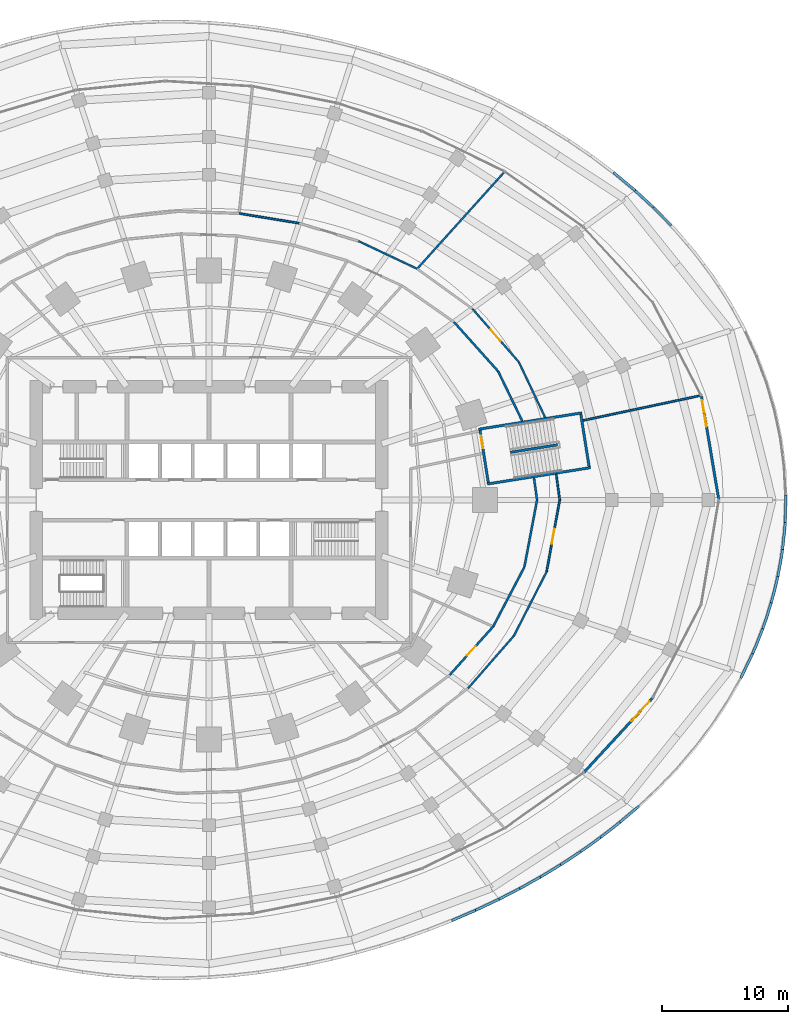
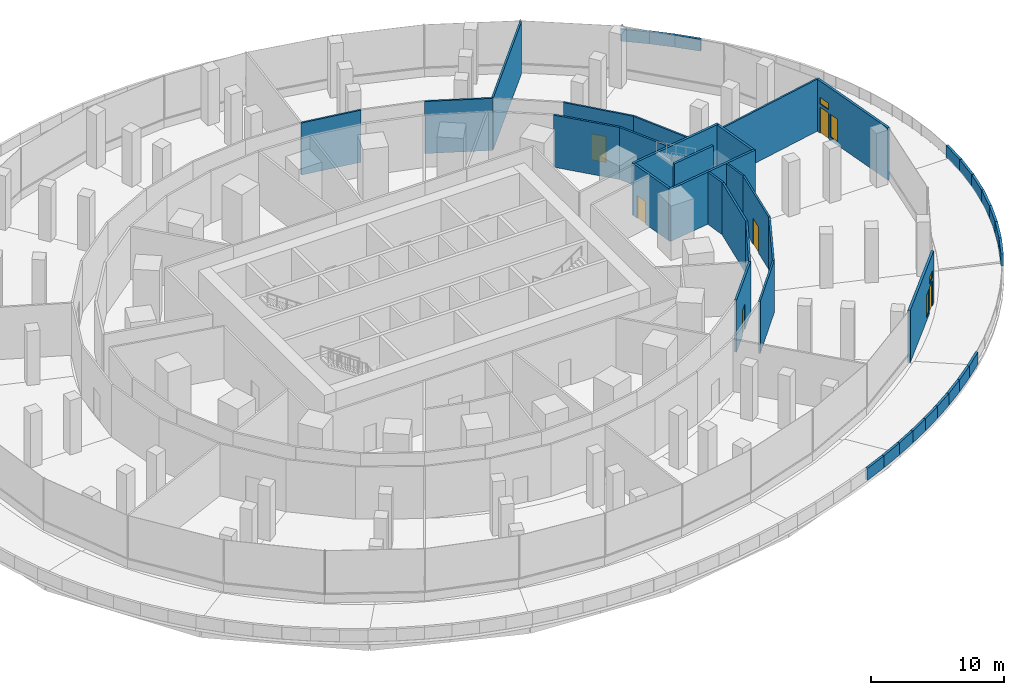
# One storey, part 26 of 31: 42 walls, 6 doors, 4 windows, 10 openings.
"""IFC4 building model written with IfcOpenShell, lengths in metres."""

import ifcopenshell
import ifcopenshell.guid

model = None  # the IFC model being written
_history = None  # IfcOwnerHistory: only IFC2X3 demands one
_inside = {}  # id of a spatial element -> (the spatial element, [elements in it])
_under = {}  # id of a project, library or spatial element -> (it, [spatial elements below it])
_declared = {}  # id of a project -> (the project, [libraries it declares])
_typed = {}  # id of a type object -> (the type object, [elements of that type])
_made_of = {}  # id of a material, layer set ... -> (it, [elements and type objects made of it])


def new_model(schema):
    """Start an empty IFC model of exactly this schema.

    Asked for "IFC4X3", IfcOpenShell would pick the latest addendum, in which some entities
    have other attributes; the version numbers below select the first issue.
    IFC2X3 requires an IfcOwnerHistory on every rooted entity: one is made here for all.
    """
    global model, _history
    if schema == "IFC4X3":
        model = ifcopenshell.file(schema_version=(4, 3, 0, 0))
    else:
        model = ifcopenshell.file(schema=schema)
    _inside.clear()
    _under.clear()
    _declared.clear()
    _typed.clear()
    _made_of.clear()
    _history = None
    if model.schema == "IFC2X3":
        org = make("IfcOrganization", Name="unknown")
        user = make(
            "IfcPersonAndOrganization",
            ThePerson=make("IfcPerson", FamilyName="unknown"),
            TheOrganization=org,
        )
        app = make(
            "IfcApplication",
            ApplicationDeveloper=org,
            Version="unknown",
            ApplicationFullName="unknown",
            ApplicationIdentifier="unknown",
        )
        _history = make(
            "IfcOwnerHistory",
            OwningUser=user,
            OwningApplication=app,
            ChangeAction="ADDED",
            CreationDate=0,
        )
    return model


def make(cls, **values):
    """One entity of the class cls with the attributes given. An attribute that is None is left unset."""
    return model.create_entity(
        cls, **{name: value for name, value in values.items() if value is not None}
    )


def rooted(cls, **values):
    """An entity with a GlobalId (a new one), such as an element, a storey or a relation."""
    return make(cls, GlobalId=ifcopenshell.guid.new(), OwnerHistory=_history, **values)


def si_unit(unit_type, name, prefix=None):
    """IfcSIUnit, for example si_unit("LENGTHUNIT", "METRE", prefix="MILLI")."""
    return make("IfcSIUnit", UnitType=unit_type, Prefix=prefix, Name=name)


def assignment(units):
    """IfcUnitAssignment: the units of a project."""
    return None if units is None else make("IfcUnitAssignment", Units=units)


def point(xyz):
    """IfcCartesianPoint."""
    return None if xyz is None else make("IfcCartesianPoint", Coordinates=xyz)


def direction(xyz):
    """IfcDirection."""
    return None if xyz is None else make("IfcDirection", DirectionRatios=xyz)


def frame(location, z_axis=None, x_axis=None):
    """IfcAxis2Placement3D, a coordinate frame: its origin and axes. An axis left out is left unset."""
    return make(
        "IfcAxis2Placement3D",
        Location=point(location),
        Axis=direction(z_axis),
        RefDirection=direction(x_axis),
    )


def frame_2d(location, x_axis=None):
    """IfcAxis2Placement2D, a coordinate frame in the plane: its origin and x axis."""
    return make(
        "IfcAxis2Placement2D", Location=point(location), RefDirection=direction(x_axis)
    )


def origin():
    """The frame at (0, 0, 0) with its axes left unset."""
    return frame((0.0, 0.0, 0.0))


def place(relative_to, where):
    """IfcLocalPlacement: puts the frame where relative to a parent placement (None: the world)."""
    return make(
        "IfcLocalPlacement", PlacementRelTo=relative_to, RelativePlacement=where
    )


def context(
    kind, dimensions, precision=None, world=None, true_north=None, identifier=None
):
    """IfcGeometricRepresentationContext, for example the 3D "Model" context."""
    return make(
        "IfcGeometricRepresentationContext",
        ContextIdentifier=identifier,
        ContextType=kind,
        CoordinateSpaceDimension=dimensions,
        Precision=precision,
        WorldCoordinateSystem=world,
        TrueNorth=true_north,
    )


def subcontext(parent, identifier, kind, view, scale=None):
    """IfcGeometricRepresentationSubContext, for example "Body" below "Model"."""
    return make(
        "IfcGeometricRepresentationSubContext",
        ContextIdentifier=identifier,
        ContextType=kind,
        ParentContext=parent,
        TargetScale=scale,
        TargetView=view,
    )


def project(units=None, contexts=None):
    """IfcProject with its units and contexts."""
    return rooted(
        "IfcProject",
        Name="project",
        RepresentationContexts=contexts,
        UnitsInContext=assignment(units),
    )


def spatial(cls, under=None, at=None, **own):
    """A site, building, storey or space (cls), placed at a placement, below another one or the project."""
    s = rooted(cls, ObjectPlacement=at, **own)
    if under is not None:
        _under.setdefault(under.id(), (under, []))[1].append(s)
    return s


def profile(cls, at=None, kind="AREA", **sizes):
    """A parametric profile (cls). Its sizes go by their IFC names, for example OverallWidth=200.0."""
    return make(cls, ProfileType=kind, Position=at, **sizes)


def rectangle(**sizes):
    """IfcRectangleProfileDef."""
    return profile("IfcRectangleProfileDef", **sizes)


def extrude(swept, where, along, depth):
    """IfcExtrudedAreaSolid: the profile swept, set in the frame where, extruded along a direction by depth."""
    return make(
        "IfcExtrudedAreaSolid",
        SweptArea=swept,
        Position=where,
        ExtrudedDirection=direction(along),
        Depth=depth,
    )


def shape(context_of_items, identifier, shape_type, items):
    """IfcShapeRepresentation: the items that make up one representation, for example the "Body"."""
    return make(
        "IfcShapeRepresentation",
        ContextOfItems=context_of_items,
        RepresentationIdentifier=identifier,
        RepresentationType=shape_type,
        Items=items,
    )


def material(Name=None, Category=None):
    """IfcMaterial."""
    return make("IfcMaterial", Name=Name, Category=Category)


def layer(
    of_material, thickness, ventilated=None, Name=None, Category=None, Priority=None
):
    """IfcMaterialLayer: one layer of a wall or slab, of a material (None: an air gap)."""
    return make(
        "IfcMaterialLayer",
        Material=of_material,
        LayerThickness=thickness,
        IsVentilated=ventilated,
        Name=Name,
        Category=Category,
        Priority=Priority,
    )


def layer_set(layers, Name=None):
    """IfcMaterialLayerSet."""
    return make("IfcMaterialLayerSet", MaterialLayers=layers, LayerSetName=Name)


def made_of(thing, what):
    """Note that an element or type object is made of a material, layer set ...; save() writes the relation."""
    if what is not None:
        _made_of.setdefault(what.id(), (what, []))[1].append(thing)
    return thing


def type_object(cls, material=None, **own):
    """A type object (cls), such as IfcWallType, which elements share."""
    return made_of(rooted(cls, **own), material)


def element(
    cls,
    number,
    at=None,
    inside=None,
    cuts=None,
    type_object=None,
    material=None,
    context=None,
    identifier="Body",
    shape_type=None,
    held_by="IfcProductDefinitionShape",
    body=None,
    shapes=None,
    **own,
):
    """One element of the class cls, such as IfcWall. Its Tag is "e" and its number.

    at: its placement. inside: the storey or other place that contains it. cuts: it is an
    opening in that element (IfcRelVoidsElement). A single representation is given by context,
    identifier, shape_type and body (its items); several are given by shapes. held_by: the class
    of the entity that holds the representations. save() writes the other relations.
    """
    e = rooted(cls, Tag="e%d" % number, ObjectPlacement=at, **own)
    if body is not None:
        shapes = [shape(context, identifier, shape_type, body)]
    if shapes is not None:
        e.Representation = make(held_by, Representations=shapes)
    if inside is not None:
        _inside.setdefault(inside.id(), (inside, []))[1].append(e)
    if cuts is not None:
        rooted(
            "IfcRelVoidsElement", RelatingBuildingElement=cuts, RelatedOpeningElement=e
        )
    if type_object is not None:
        _typed.setdefault(type_object.id(), (type_object, []))[1].append(e)
    return made_of(e, material)


def fill(opening, filler):
    """IfcRelFillsElement: the door or window that sits in an opening."""
    return rooted(
        "IfcRelFillsElement",
        RelatingOpeningElement=opening,
        RelatedBuildingElement=filler,
    )


def aggregate(whole, parts):
    """IfcRelAggregates: a whole, such as a stair, and the parts it consists of."""
    return rooted("IfcRelAggregates", RelatingObject=whole, RelatedObjects=parts)


def save(model, path):
    """Write the relations noted so far, then the file.

    IfcRelAggregates (storeys below a building ...), IfcRelContainedInSpatialStructure (elements
    in a storey), IfcRelDefinesByType, IfcRelAssociatesMaterial and IfcRelDeclares: one each for
    every whole, place, type object, material and project.
    """
    for whole, parts in _under.values():
        aggregate(whole, parts)
    for where, things in _inside.values():
        rooted(
            "IfcRelContainedInSpatialStructure",
            RelatedElements=things,
            RelatingStructure=where,
        )
    for kind, things in _typed.values():
        rooted("IfcRelDefinesByType", RelatedObjects=things, RelatingType=kind)
    for what, things in _made_of.values():
        rooted("IfcRelAssociatesMaterial", RelatedObjects=things, RelatingMaterial=what)
    for by, libraries in _declared.values():
        rooted("IfcRelDeclares", RelatingContext=by, RelatedDefinitions=libraries)
    model.write(path)


model = new_model("IFC4")

# Units and contexts
model_context = context("Model", 3, precision=1e-05, world=origin(), true_north=direction((0.0, 1.0)))
body_context = subcontext(model_context, "Body", "Model", "MODEL_VIEW")
ifc_project = project(units=[si_unit("LENGTHUNIT", "METRE"), si_unit("AREAUNIT", "SQUARE_METRE"), si_unit("VOLUMEUNIT", "CUBIC_METRE"), si_unit("PLANEANGLEUNIT", "RADIAN"), si_unit("MASSUNIT", "GRAM", prefix="KILO")], contexts=[model_context])

# Site, building, storey
site_placement = place(None, origin())
site = spatial("IfcSite", under=ifc_project, at=site_placement, CompositionType="ELEMENT")
building_placement = place(site_placement, origin())
building = spatial("IfcBuilding", under=site, at=building_placement, Name="Marramba Exchange Tower", CompositionType="ELEMENT")
storey_placement = place(building_placement, frame((0.0, 0.0, 5.60009765625)))
storey = spatial("IfcBuildingStorey", under=building, at=storey_placement, Name="L01", CompositionType="ELEMENT", Elevation=5.60009765625)

# Wall, opening, door
ifc_material_1 = material(Name="Plasterboard on staggered double steel studs, acoustic insulation", Category="steel")
ifc_layer_1 = layer(ifc_material_1, 0.169921875)
ifc_layer_set_1 = layer_set([ifc_layer_1], Name="Acoustic partition 170")
wall_type_1 = type_object("IfcWallType", Name="Acoustic partition 170", PredefinedType="PARTITIONING", material=ifc_layer_set_1)
wall_1_placement = place(storey_placement, frame((22.547607421875, -10.038818359375, 0.0), z_axis=(0.0, 0.0, 1.0), x_axis=(-0.668135531852, -0.744039589724, 0.0)))
wall_1 = element("IfcWall", 1, at=wall_1_placement, inside=storey, type_object=wall_type_1, Name="Acoustic partition L01 44", PredefinedType="PARTITIONING", context=body_context, shape_type="SweptSolid", body=[
    extrude(rectangle(XDim=5.1591796875, YDim=0.169921875, at=frame_2d((2.57958984375, 0.0))), origin(), (0.0, 0.0, 1.0), 4.7998046875),
])
opening_1_placement = place(wall_1_placement, frame((2.10498046875, 0.0, 0.0)))
opening_1 = element("IfcOpeningElement", 2, at=opening_1_placement, cuts=wall_1, Name="Opening D9", PredefinedType="OPENING", context=body_context, shape_type="SweptSolid", body=[
    extrude(rectangle(XDim=1.0, YDim=2.39990234375, at=frame_2d((0.5, 1.199951171875))), frame((0.0, 0.094970703125, 0.0), z_axis=(0.0, -1.0, 0.0), x_axis=(1.0, 0.0, 0.0)), (0.0, 0.0, 1.0), 0.18994140625),
])
ifc_material_2 = material(Name="Timber door", Category="wood")
door_type_1 = type_object("IfcDoorType", Name="Room door 1000x2400", OperationType="SINGLE_SWING_LEFT", PredefinedType="DOOR", material=ifc_material_2)
door_1_placement = place(opening_1_placement, frame((1.0, 0.0, 0.0), z_axis=(0.0, 0.0, 1.0), x_axis=(-1.0, 0.0, 0.0)))
door_1 = element("IfcDoor", 3, at=door_1_placement, inside=storey, type_object=door_type_1, Name="D9 Interview Room 2 L01", OperationType="SINGLE_SWING_RIGHT", OverallHeight=2.39990234375, OverallWidth=1.0, PredefinedType="DOOR", context=body_context, shape_type="SweptSolid", body=[
    extrude(rectangle(XDim=1.0, YDim=2.39990234375, at=frame_2d((0.5, 1.199951171875))), frame((0.0, 0.025146484375, 0.0), z_axis=(0.0, -1.0, 0.0), x_axis=(1.0, 0.0, 0.0)), (0.0, 0.0, 1.0), 0.050048828125),
])
fill(opening_1, door_1)

# Walls
wall_2_placement = place(storey_placement, frame((25.022216796875, -5.318603515625, 0.0), z_axis=(0.0, 0.0, 1.0), x_axis=(-0.464318498757, -0.885668296662, 0.0)))
element("IfcWall", 4, at=wall_2_placement, inside=storey, type_object=wall_type_1, Name="Acoustic partition L01 47", PredefinedType="PARTITIONING", context=body_context, shape_type="SweptSolid", body=[
    extrude(rectangle(XDim=5.32958984375, YDim=0.169921875, at=frame_2d((2.664794921875, 0.0))), origin(), (0.0, 0.0, 1.0), 4.7998046875),
])
wall_3_placement = place(storey_placement, frame((26.02490234375, 0.0, 0.0), z_axis=(0.0, 0.0, 1.0), x_axis=(-0.185260746547, -0.982689399449, 0.0)))
element("IfcWall", 5, at=wall_3_placement, inside=storey, type_object=wall_type_1, Name="Acoustic partition L01 50", PredefinedType="PARTITIONING", context=body_context, shape_type="SweptSolid", body=[
    extrude(rectangle(XDim=5.412353515625, YDim=0.169921875, at=frame_2d((2.7060546875, 0.0))), origin(), (0.0, 0.0, 1.0), 4.7998046875),
])
wall_4_placement = place(storey_placement, frame((25.78369140625, 1.755126953125, 0.0), z_axis=(0.0, 0.0, 1.0), x_axis=(0.136152406276, -0.990687903563, 0.0)))
element("IfcWall", 6, at=wall_4_placement, inside=storey, type_object=wall_type_1, Name="Acoustic partition L01 51", PredefinedType="PARTITIONING", context=body_context, shape_type="SweptSolid", body=[
    extrude(rectangle(XDim=1.771728515625, YDim=0.169921875, at=frame_2d((0.8857421875, 0.0))), origin(), (0.0, 0.0, 1.0), 4.7998046875),
])
wall_5_placement = place(storey_placement, frame((22.9375, 10.21240234375, 0.0), z_axis=(0.0, 0.0, 1.0), x_axis=(0.436655701608, -0.899628700217, 0.0)))
element("IfcWall", 7, at=wall_5_placement, inside=storey, type_object=wall_type_1, Name="Acoustic partition L01 57", PredefinedType="PARTITIONING", context=body_context, shape_type="SweptSolid", body=[
    extrude(rectangle(XDim=4.387939453125, YDim=0.169921875, at=frame_2d((2.19384765625, 0.0))), origin(), (0.0, 0.0, 1.0), 4.7998046875),
])
wall_6_placement = place(storey_placement, frame((19.435791015625, 14.12109375, 0.0), z_axis=(0.0, 0.0, 1.0), x_axis=(0.667266603128, -0.744818958103, 0.0)))
element("IfcWall", 8, at=wall_6_placement, inside=storey, type_object=wall_type_1, Name="Acoustic partition L01 59", PredefinedType="PARTITIONING", context=body_context, shape_type="SweptSolid", body=[
    extrude(rectangle(XDim=5.247802734375, YDim=0.169921875, at=frame_2d((2.6240234375, 0.0))), origin(), (0.0, 0.0, 1.0), 4.7998046875),
])

# Wall, openings, door, windows
ifc_material_3 = material(Name="Aluminium-framed bronze cladding on steel studs", Category="steel")
ifc_layer_2 = layer(ifc_material_3, 0.199951171875)
ifc_layer_set_2 = layer_set([ifc_layer_2], Name="Door screen wall 200")
wall_type_2 = type_object("IfcWallType", Name="Door screen wall 200", PredefinedType="SOLIDWALL", material=ifc_layer_set_2)
wall_7_placement = place(storey_placement, frame((40.449951171875, 0.0, 0.0), z_axis=(0.0, 0.0, 1.0), x_axis=(-0.165635794273, 0.986186992236, 0.0)))
wall_7 = element("IfcWall", 9, at=wall_7_placement, inside=storey, type_object=wall_type_2, Name="Door screen L01 F01", PredefinedType="SOLIDWALL", context=body_context, shape_type="SweptSolid", body=[
    extrude(rectangle(XDim=8.417724609375, YDim=0.199951171875, at=frame_2d((4.208984375, 0.0))), origin(), (0.0, 0.0, 1.0), 4.7998046875),
])
opening_2_placement = place(wall_7_placement, frame((7.017822265625, 0.0, 0.0)))
opening_2 = element("IfcOpeningElement", 10, at=opening_2_placement, cuts=wall_7, Name="Opening D6", PredefinedType="OPENING", context=body_context, shape_type="SweptSolid", body=[
    extrude(rectangle(XDim=1.0, YDim=2.39990234375, at=frame_2d((0.5, 1.199951171875))), frame((0.0, 0.10986328125, 0.0), z_axis=(0.0, -1.0, 0.0), x_axis=(1.0, 0.0, 0.0)), (0.0, 0.0, 1.0), 0.219970703125),
])
opening_3_placement = place(wall_7_placement, frame((5.917724609375, 0.0, 0.300048828125)))
opening_3 = element("IfcOpeningElement", 11, at=opening_3_placement, cuts=wall_7, Name="Opening W4", PredefinedType="OPENING", context=body_context, shape_type="SweptSolid", body=[
    extrude(rectangle(XDim=0.89990234375, YDim=2.10009765625, at=frame_2d((0.449951171875, 1.050048828125))), frame((0.0, 0.10986328125, 0.0), z_axis=(0.0, -1.0, 0.0), x_axis=(1.0, 0.0, 0.0)), (0.0, 0.0, 1.0), 0.219970703125),
])
opening_4_placement = place(wall_7_placement, frame((7.017822265625, 0.0, 2.699951171875)))
opening_4 = element("IfcOpeningElement", 12, at=opening_4_placement, cuts=wall_7, Name="Opening W5", PredefinedType="OPENING", context=body_context, shape_type="SweptSolid", body=[
    extrude(rectangle(XDim=1.0, YDim=0.60009765625, at=frame_2d((0.5, 0.300048828125))), frame((0.0, 0.10986328125, 0.0), z_axis=(0.0, -1.0, 0.0), x_axis=(1.0, 0.0, 0.0)), (0.0, 0.0, 1.0), 0.219970703125),
])
ifc_material_4 = material(Name="Aluminium-framed glazed door, bronze", Category="aluminium")
door_type_2 = type_object("IfcDoorType", Name="Terrace door 1000x2400", OperationType="SINGLE_SWING_LEFT", PredefinedType="DOOR", material=ifc_material_4)
door_2_placement = place(opening_2_placement, frame((1.0, 0.0, 0.0), z_axis=(0.0, 0.0, 1.0), x_axis=(-1.0, 0.0, 0.0)))
door_2 = element("IfcDoor", 13, at=door_2_placement, inside=storey, type_object=door_type_2, Name="D6 L01", OperationType="SINGLE_SWING_RIGHT", OverallHeight=2.39990234375, OverallWidth=1.0, PredefinedType="DOOR", context=body_context, shape_type="SweptSolid", body=[
    extrude(rectangle(XDim=1.0, YDim=2.39990234375, at=frame_2d((0.5, 1.199951171875))), frame((0.0, 0.025146484375, 0.0), z_axis=(0.0, -1.0, 0.0), x_axis=(1.0, 0.0, 0.0)), (0.0, 0.0, 1.0), 0.050048828125),
])
fill(opening_2, door_2)
ifc_material_5 = material(Name="Aluminium-framed fixed light, bronze, double glazed", Category="aluminium")
window_type_1 = type_object("IfcWindowType", Name="Terrace sidelight 900x2100", PartitioningType="SINGLE_PANEL", PredefinedType="WINDOW", material=ifc_material_5)
window_1_placement = place(opening_3_placement, origin())
window_1 = element("IfcWindow", 14, at=window_1_placement, inside=storey, type_object=window_type_1, Name="W4 L01 F01 left", OverallHeight=2.10009765625, OverallWidth=0.89990234375, PartitioningType="SINGLE_PANEL", PredefinedType="WINDOW", context=body_context, shape_type="SweptSolid", body=[
    extrude(rectangle(XDim=0.89990234375, YDim=2.10009765625, at=frame_2d((0.449951171875, 1.050048828125))), frame((0.0, 0.030029296875, 0.0), z_axis=(0.0, -1.0, 0.0), x_axis=(1.0, 0.0, 0.0)), (0.0, 0.0, 1.0), 0.06005859375),
])
fill(opening_3, window_1)
window_type_2 = type_object("IfcWindowType", Name="Terrace transom light 1000x600", PartitioningType="SINGLE_PANEL", PredefinedType="WINDOW", material=ifc_material_5)
window_2_placement = place(opening_4_placement, origin())
window_2 = element("IfcWindow", 15, at=window_2_placement, inside=storey, type_object=window_type_2, Name="W5 L01 F01 over the door", OverallHeight=0.60009765625, OverallWidth=1.0, PartitioningType="SINGLE_PANEL", PredefinedType="WINDOW", context=body_context, shape_type="SweptSolid", body=[
    extrude(rectangle(XDim=1.0, YDim=0.60009765625, at=frame_2d((0.5, 0.300048828125))), frame((0.0, 0.030029296875, 0.0), z_axis=(0.0, -1.0, 0.0), x_axis=(1.0, 0.0, 0.0)), (0.0, 0.0, 1.0), 0.06005859375),
])
fill(opening_4, window_2)

wall_8_placement = place(storey_placement, frame((29.7451171875, -21.611083984375, 0.0), z_axis=(0.0, 0.0, 1.0), x_axis=(0.678129311606, 0.734942607787, 0.0)))
wall_8 = element("IfcWall", 16, at=wall_8_placement, inside=storey, type_object=wall_type_2, Name="Door screen L01 F28", PredefinedType="SOLIDWALL", context=body_context, shape_type="SweptSolid", body=[
    extrude(rectangle(XDim=8.0703125, YDim=0.199951171875, at=frame_2d((4.03515625, 0.0))), origin(), (0.0, 0.0, 1.0), 4.7998046875),
])
opening_5_placement = place(wall_8_placement, frame((6.670166015625, 0.0, 0.0)))
opening_5 = element("IfcOpeningElement", 17, at=opening_5_placement, cuts=wall_8, Name="Opening D6", PredefinedType="OPENING", context=body_context, shape_type="SweptSolid", body=[
    extrude(rectangle(XDim=1.0, YDim=2.39990234375, at=frame_2d((0.5, 1.199951171875))), frame((0.0, 0.10986328125, 0.0), z_axis=(0.0, -1.0, 0.0), x_axis=(1.0, 0.0, 0.0)), (0.0, 0.0, 1.0), 0.219970703125),
])
opening_6_placement = place(wall_8_placement, frame((5.5703125, 0.0, 0.300048828125)))
opening_6 = element("IfcOpeningElement", 18, at=opening_6_placement, cuts=wall_8, Name="Opening W4", PredefinedType="OPENING", context=body_context, shape_type="SweptSolid", body=[
    extrude(rectangle(XDim=0.89990234375, YDim=2.10009765625, at=frame_2d((0.449951171875, 1.050048828125))), frame((0.0, 0.10986328125, 0.0), z_axis=(0.0, -1.0, 0.0), x_axis=(1.0, 0.0, 0.0)), (0.0, 0.0, 1.0), 0.219970703125),
])
opening_7_placement = place(wall_8_placement, frame((6.670166015625, 0.0, 2.699951171875)))
opening_7 = element("IfcOpeningElement", 19, at=opening_7_placement, cuts=wall_8, Name="Opening W5", PredefinedType="OPENING", context=body_context, shape_type="SweptSolid", body=[
    extrude(rectangle(XDim=1.0, YDim=0.60009765625, at=frame_2d((0.5, 0.300048828125))), frame((0.0, 0.10986328125, 0.0), z_axis=(0.0, -1.0, 0.0), x_axis=(1.0, 0.0, 0.0)), (0.0, 0.0, 1.0), 0.219970703125),
])
door_3_placement = place(opening_5_placement, frame((1.0, 0.0, 0.0), z_axis=(0.0, 0.0, 1.0), x_axis=(-1.0, 0.0, 0.0)))
door_3 = element("IfcDoor", 20, at=door_3_placement, inside=storey, type_object=door_type_2, Name="D6 L01", OperationType="SINGLE_SWING_RIGHT", OverallHeight=2.39990234375, OverallWidth=1.0, PredefinedType="DOOR", context=body_context, shape_type="SweptSolid", body=[
    extrude(rectangle(XDim=1.0, YDim=2.39990234375, at=frame_2d((0.5, 1.199951171875))), frame((0.0, 0.025146484375, 0.0), z_axis=(0.0, -1.0, 0.0), x_axis=(1.0, 0.0, 0.0)), (0.0, 0.0, 1.0), 0.050048828125),
])
fill(opening_5, door_3)
window_3_placement = place(opening_6_placement, origin())
window_3 = element("IfcWindow", 21, at=window_3_placement, inside=storey, type_object=window_type_1, Name="W4 L01 F28 left", OverallHeight=2.10009765625, OverallWidth=0.89990234375, PartitioningType="SINGLE_PANEL", PredefinedType="WINDOW", context=body_context, shape_type="SweptSolid", body=[
    extrude(rectangle(XDim=0.89990234375, YDim=2.10009765625, at=frame_2d((0.449951171875, 1.050048828125))), frame((0.0, 0.030029296875, 0.0), z_axis=(0.0, -1.0, 0.0), x_axis=(1.0, 0.0, 0.0)), (0.0, 0.0, 1.0), 0.06005859375),
])
fill(opening_6, window_3)
window_4_placement = place(opening_7_placement, origin())
window_4 = element("IfcWindow", 22, at=window_4_placement, inside=storey, type_object=window_type_2, Name="W5 L01 F28 over the door", OverallHeight=0.60009765625, OverallWidth=1.0, PartitioningType="SINGLE_PANEL", PredefinedType="WINDOW", context=body_context, shape_type="SweptSolid", body=[
    extrude(rectangle(XDim=1.0, YDim=0.60009765625, at=frame_2d((0.5, 0.300048828125))), frame((0.0, 0.030029296875, 0.0), z_axis=(0.0, -1.0, 0.0), x_axis=(1.0, 0.0, 0.0)), (0.0, 0.0, 1.0), 0.06005859375),
])
fill(opening_7, window_4)

# Walls
ifc_material_6 = material(Name="Concrete N40", Category="concrete")
ifc_layer_3 = layer(ifc_material_6, 0.199951171875)
ifc_layer_set_3 = layer_set([ifc_layer_3], Name="Roof parapet 200")
wall_type_3 = type_object("IfcWallType", Name="Roof parapet 200", PredefinedType="PARAPET", material=ifc_layer_set_3)
wall_9_placement = place(storey_placement, frame((36.675537109375, 21.785400390625, 0.0), z_axis=(0.0, 0.0, 1.0), x_axis=(-0.702040297274, 0.712137220628, 0.0)))
element("IfcWall", 23, at=wall_9_placement, inside=storey, type_object=wall_type_3, Name="Parapet L01 bay 02", PredefinedType="PARAPET", context=body_context, shape_type="SweptSolid", body=[
    extrude(rectangle(XDim=2.0068359375, YDim=0.199951171875, at=frame_2d((1.00341796875, 0.0))), origin(), (0.0, 0.0, 1.0), 1.099853515625),
])
wall_10_placement = place(storey_placement, frame((35.2666015625, 23.214599609375, 0.0), z_axis=(0.0, 0.0, 1.0), x_axis=(-0.735975081753, 0.677008625528, 0.0)))
element("IfcWall", 24, at=wall_10_placement, inside=storey, type_object=wall_type_3, Name="Parapet L01 bay 02", PredefinedType="PARAPET", context=body_context, shape_type="SweptSolid", body=[
    extrude(rectangle(XDim=1.9873046875, YDim=0.199951171875, at=frame_2d((0.99365234375, 0.0))), origin(), (0.0, 0.0, 1.0), 1.099853515625),
])
wall_11_placement = place(storey_placement, frame((33.803955078125, 24.56005859375, 0.0), z_axis=(0.0, 0.0, 1.0), x_axis=(-0.768266161983, 0.640130536962, 0.0)))
element("IfcWall", 25, at=wall_11_placement, inside=storey, type_object=wall_type_3, Name="Parapet L01 bay 03", PredefinedType="PARAPET", context=body_context, shape_type="SweptSolid", body=[
    extrude(rectangle(XDim=2.229248046875, YDim=0.199951171875, at=frame_2d((1.11474609375, 0.0))), origin(), (0.0, 0.0, 1.0), 1.099853515625),
])
wall_12_placement = place(storey_placement, frame((19.26611328125, -33.36962890625, 0.0), z_axis=(0.0, 0.0, 1.0), x_axis=(0.918359236992, 0.395747788157, 0.0)))
element("IfcWall", 26, at=wall_12_placement, inside=storey, type_object=wall_type_3, Name="Parapet L01 bay 17", PredefinedType="PARAPET", context=body_context, shape_type="SweptSolid", body=[
    extrude(rectangle(XDim=2.045654296875, YDim=0.199951171875, at=frame_2d((1.02294921875, 0.0))), origin(), (0.0, 0.0, 1.0), 1.099853515625),
])
wall_13_placement = place(storey_placement, frame((21.144775390625, -32.56005859375, 0.0), z_axis=(0.0, 0.0, 1.0), x_axis=(0.904170117636, 0.427172562759, 0.0)))
element("IfcWall", 27, at=wall_13_placement, inside=storey, type_object=wall_type_3, Name="Parapet L01 bay 17", PredefinedType="PARAPET", context=body_context, shape_type="SweptSolid", body=[
    extrude(rectangle(XDim=2.06787109375, YDim=0.199951171875, at=frame_2d((1.033935546875, 0.0))), origin(), (0.0, 0.0, 1.0), 1.099853515625),
])
wall_14_placement = place(storey_placement, frame((23.014404296875, -31.6767578125, 0.0), z_axis=(0.0, 0.0, 1.0), x_axis=(0.88915717115, 0.457601928528, 0.0)))
element("IfcWall", 28, at=wall_14_placement, inside=storey, type_object=wall_type_3, Name="Parapet L01 bay 18", PredefinedType="PARAPET", context=body_context, shape_type="SweptSolid", body=[
    extrude(rectangle(XDim=1.846435546875, YDim=0.199951171875, at=frame_2d((0.92333984375, 0.0))), origin(), (0.0, 0.0, 1.0), 1.099853515625),
])
wall_15_placement = place(storey_placement, frame((24.65625, -30.831787109375, 0.0), z_axis=(0.0, 0.0, 1.0), x_axis=(0.87332321816, 0.487141208093, 0.0)))
element("IfcWall", 29, at=wall_15_placement, inside=storey, type_object=wall_type_3, Name="Parapet L01 bay 18", PredefinedType="PARAPET", context=body_context, shape_type="SweptSolid", body=[
    extrude(rectangle(XDim=1.866943359375, YDim=0.199951171875, at=frame_2d((0.93359375, 0.0))), origin(), (0.0, 0.0, 1.0), 1.099853515625),
])
wall_16_placement = place(storey_placement, frame((26.28662109375, -29.92236328125, 0.0), z_axis=(0.0, 0.0, 1.0), x_axis=(0.85558147519, 0.517668174907, 0.0)))
element("IfcWall", 30, at=wall_16_placement, inside=storey, type_object=wall_type_3, Name="Parapet L01 bay 18", PredefinedType="PARAPET", context=body_context, shape_type="SweptSolid", body=[
    extrude(rectangle(XDim=1.887939453125, YDim=0.199951171875, at=frame_2d((0.94384765625, 0.0))), origin(), (0.0, 0.0, 1.0), 1.099853515625),
])
wall_17_placement = place(storey_placement, frame((27.90185546875, -28.945068359375, 0.0), z_axis=(0.0, 0.0, 1.0), x_axis=(0.835690392219, 0.549200845185, 0.0)))
element("IfcWall", 31, at=wall_17_placement, inside=storey, type_object=wall_type_3, Name="Parapet L01 bay 18", PredefinedType="PARAPET", context=body_context, shape_type="SweptSolid", body=[
    extrude(rectangle(XDim=1.90966796875, YDim=0.199951171875, at=frame_2d((0.954833984375, 0.0))), origin(), (0.0, 0.0, 1.0), 1.099853515625),
])
wall_18_placement = place(storey_placement, frame((29.497802734375, -27.896240234375, 0.0), z_axis=(0.0, 0.0, 1.0), x_axis=(0.813400249854, 0.581704421108, 0.0)))
element("IfcWall", 32, at=wall_18_placement, inside=storey, type_object=wall_type_3, Name="Parapet L01 bay 18", PredefinedType="PARAPET", context=body_context, shape_type="SweptSolid", body=[
    extrude(rectangle(XDim=1.931396484375, YDim=0.199951171875, at=frame_2d((0.9658203125, 0.0))), origin(), (0.0, 0.0, 1.0), 1.099853515625),
])
wall_19_placement = place(storey_placement, frame((31.06884765625, -26.772705078125, 0.0), z_axis=(0.0, 0.0, 1.0), x_axis=(0.788395618403, 0.61516855323, 0.0)))
element("IfcWall", 33, at=wall_19_placement, inside=storey, type_object=wall_type_3, Name="Parapet L01 bay 18", PredefinedType="PARAPET", context=body_context, shape_type="SweptSolid", body=[
    extrude(rectangle(XDim=1.953369140625, YDim=0.199951171875, at=frame_2d((0.9765625, 0.0))), origin(), (0.0, 0.0, 1.0), 1.099853515625),
])
wall_20_placement = place(storey_placement, frame((32.60888671875, -25.571044921875, 0.0), z_axis=(0.0, 0.0, 1.0), x_axis=(0.760381310576, 0.649476914545, 0.0)))
element("IfcWall", 34, at=wall_20_placement, inside=storey, type_object=wall_type_3, Name="Parapet L01 bay 18", PredefinedType="PARAPET", context=body_context, shape_type="SweptSolid", body=[
    extrude(rectangle(XDim=1.974609375, YDim=0.199951171875, at=frame_2d((0.9873046875, 0.0))), origin(), (0.0, 0.0, 1.0), 1.099853515625),
])
wall_21_placement = place(storey_placement, frame((42.19091796875, -14.12744140625, 0.0), z_axis=(0.0, 0.0, 1.0), x_axis=(0.438944420808, 0.898514215492, 0.0)))
element("IfcWall", 35, at=wall_21_placement, inside=storey, type_object=wall_type_3, Name="Parapet L01 bay 20", PredefinedType="PARAPET", context=body_context, shape_type="SweptSolid", body=[
    extrude(rectangle(XDim=2.142578125, YDim=0.199951171875, at=frame_2d((1.0712890625, 0.0))), origin(), (0.0, 0.0, 1.0), 1.099853515625),
])
wall_22_placement = place(storey_placement, frame((43.13134765625, -12.202392578125, 0.0), z_axis=(0.0, 0.0, 1.0), x_axis=(0.377156278068, 0.926149632572, 0.0)))
element("IfcWall", 36, at=wall_22_placement, inside=storey, type_object=wall_type_3, Name="Parapet L01 bay 20", PredefinedType="PARAPET", context=body_context, shape_type="SweptSolid", body=[
    extrude(rectangle(XDim=2.151123046875, YDim=0.199951171875, at=frame_2d((1.07568359375, 0.0))), origin(), (0.0, 0.0, 1.0), 1.099853515625),
])
wall_23_placement = place(storey_placement, frame((43.942626953125, -10.210205078125, 0.0), z_axis=(0.0, 0.0, 1.0), x_axis=(0.311845435573, 0.950132845613, 0.0)))
element("IfcWall", 37, at=wall_23_placement, inside=storey, type_object=wall_type_3, Name="Parapet L01 bay 20", PredefinedType="PARAPET", context=body_context, shape_type="SweptSolid", body=[
    extrude(rectangle(XDim=2.15771484375, YDim=0.199951171875, at=frame_2d((1.078857421875, 0.0))), origin(), (0.0, 0.0, 1.0), 1.099853515625),
])
wall_24_placement = place(storey_placement, frame((44.615478515625, -8.16015625, 0.0), z_axis=(0.0, 0.0, 1.0), x_axis=(0.243040252181, 0.970016203896, 0.0)))
element("IfcWall", 38, at=wall_24_placement, inside=storey, type_object=wall_type_3, Name="Parapet L01 bay 20", PredefinedType="PARAPET", context=body_context, shape_type="SweptSolid", body=[
    extrude(rectangle(XDim=2.162841796875, YDim=0.199951171875, at=frame_2d((1.08154296875, 0.0))), origin(), (0.0, 0.0, 1.0), 1.099853515625),
])
wall_25_placement = place(storey_placement, frame((45.14111328125, -6.062255859375, 0.0), z_axis=(0.0, 0.0, 1.0), x_axis=(0.171631273978, 0.985161258776, 0.0)))
element("IfcWall", 39, at=wall_25_placement, inside=storey, type_object=wall_type_3, Name="Parapet L01 bay 20", PredefinedType="PARAPET", context=body_context, shape_type="SweptSolid", body=[
    extrude(rectangle(XDim=2.16650390625, YDim=0.199951171875, at=frame_2d((1.083251953125, 0.0))), origin(), (0.0, 0.0, 1.0), 1.099853515625),
])
wall_26_placement = place(storey_placement, frame((45.512939453125, -3.927978515625, 0.0), z_axis=(0.0, 0.0, 1.0), x_axis=(0.09817709388, 0.995168959643, 0.0)))
element("IfcWall", 40, at=wall_26_placement, inside=storey, type_object=wall_type_3, Name="Parapet L01 bay 20", PredefinedType="PARAPET", context=body_context, shape_type="SweptSolid", body=[
    extrude(rectangle(XDim=2.16845703125, YDim=0.199951171875, at=frame_2d((1.084228515625, 0.0))), origin(), (0.0, 0.0, 1.0), 1.099853515625),
])
wall_27_placement = place(storey_placement, frame((45.725830078125, -1.77001953125, 0.0), z_axis=(0.0, 0.0, 1.0), x_axis=(0.023743866924, 0.999718074651, 0.0)))
element("IfcWall", 41, at=wall_27_placement, inside=storey, type_object=wall_type_3, Name="Parapet L01 bay 20", PredefinedType="PARAPET", context=body_context, shape_type="SweptSolid", body=[
    extrude(rectangle(XDim=2.169677734375, YDim=0.199951171875, at=frame_2d((1.0849609375, 0.0))), origin(), (0.0, 0.0, 1.0), 1.099853515625),
])
ifc_layer_4 = layer(ifc_material_6, 0.199951171875)
ifc_layer_set_4 = layer_set([ifc_layer_4], Name="Stair core wall 200 N40")
wall_type_4 = type_object("IfcWallType", Name="Stair core wall 200 N40", PredefinedType="SOLIDWALL", material=ifc_layer_set_4)
for number, where, z_axis, x_axis, name in (
    (42, (22.0732421875, 1.2685546875, 0.0), (0.0, 0.0, 1.0), (0.987684853285, 0.156456481465, 0.0), "Stair shaft wall ST4 L01 S"),
    (43, (21.385009765625, 5.614501953125, 0.0), (0.0, 0.0, 1.0), (0.987689398324, 0.156427786655, 0.0), "Stair shaft wall ST4 L01 N"),
):
    element("IfcWall", number, at=place(storey_placement, frame(where, z_axis=z_axis, x_axis=x_axis)), inside=storey, type_object=wall_type_4, Name=name, PredefinedType="SOLIDWALL", context=body_context, shape_type="SweptSolid", body=[
        extrude(rectangle(XDim=8.300048828125, YDim=0.199951171875, at=frame_2d((4.14990234375, 0.0))), origin(), (0.0, 0.0, 1.0), 4.7998046875),
    ])

# Wall, opening, door
wall_28_placement = place(storey_placement, frame((22.156494140625, 1.383056640625, 0.0), z_axis=(0.0, 0.0, 1.0), x_axis=(-0.156428225752, 0.987689328781, 0.0)))
wall_28 = element("IfcWall", 44, at=wall_28_placement, inside=storey, type_object=wall_type_4, Name="Stair shaft wall ST4 L01 W", PredefinedType="SOLIDWALL", context=body_context, shape_type="SweptSolid", body=[
    extrude(rectangle(XDim=4.199951171875, YDim=0.199951171875, at=frame_2d((2.10009765625, 0.0))), origin(), (0.0, 0.0, 1.0), 4.7998046875),
])
opening_8_placement = place(wall_28_placement, frame((2.760009765625, 0.0, 0.0)))
opening_8 = element("IfcOpeningElement", 45, at=opening_8_placement, cuts=wall_28, Name="Opening D2", PredefinedType="OPENING", context=body_context, shape_type="SweptSolid", body=[
    extrude(rectangle(XDim=1.0, YDim=2.10009765625, at=frame_2d((0.5, 1.050048828125))), frame((0.0, 0.10986328125, 0.0), z_axis=(0.0, -1.0, 0.0), x_axis=(1.0, 0.0, 0.0)), (0.0, 0.0, 1.0), 0.219970703125),
])
ifc_material_7 = material(Name="Steel-framed door", Category="steel")
door_type_3 = type_object("IfcDoorType", Name="Stair door 1000x2100", OperationType="SINGLE_SWING_LEFT", PredefinedType="DOOR", material=ifc_material_7)
door_4_placement = place(opening_8_placement, frame((1.0, 0.0, 0.0), z_axis=(0.0, 0.0, 1.0), x_axis=(-1.0, 0.0, 0.0)))
door_4 = element("IfcDoor", 46, at=door_4_placement, inside=storey, type_object=door_type_3, Name="D2 stair ST4 L01", OperationType="SINGLE_SWING_LEFT", OverallHeight=2.10009765625, OverallWidth=1.0, PredefinedType="DOOR", context=body_context, shape_type="SweptSolid", body=[
    extrude(rectangle(XDim=1.0, YDim=2.10009765625, at=frame_2d((0.5, 1.050048828125))), frame((0.0, 0.025146484375, 0.0), z_axis=(0.0, -1.0, 0.0), x_axis=(1.0, 0.0, 0.0)), (0.0, 0.0, 1.0), 0.050048828125),
])
fill(opening_8, door_4)

# Walls
wall_29_placement = place(storey_placement, frame((30.15673828125, 2.650146484375, 0.0), z_axis=(0.0, 0.0, 1.0), x_axis=(-0.156419245009, 0.987690751091, 0.0)))
element("IfcWall", 47, at=wall_29_placement, inside=storey, type_object=wall_type_4, Name="Stair shaft wall ST4 L01 E", PredefinedType="SOLIDWALL", context=body_context, shape_type="SweptSolid", body=[
    extrude(rectangle(XDim=4.2001953125, YDim=0.199951171875, at=frame_2d((2.10009765625, 0.0))), origin(), (0.0, 0.0, 1.0), 4.7998046875),
])
ifc_material_8 = material(Name="Core-filled concrete blockwork, rendered", Category="masonry")
ifc_layer_5 = layer(ifc_material_8, 0.199951171875)
ifc_layer_set_5 = layer_set([ifc_layer_5], Name="Stair shaft wall 200")
wall_type_5 = type_object("IfcWallType", Name="Stair shaft wall 200", PredefinedType="SOLIDWALL", material=ifc_layer_set_5)
wall_30_placement = place(storey_placement, frame((23.902099609375, 3.78564453125, 0.0), z_axis=(0.0, 0.0, 1.0), x_axis=(0.987681481506, 0.156477765482, 0.0)))
element("IfcWall", 48, at=wall_30_placement, inside=storey, type_object=wall_type_5, Name="Stair spine wall ST4 L01", PredefinedType="SOLIDWALL", context=body_context, shape_type="SweptSolid", body=[
    extrude(rectangle(XDim=3.796142578125, YDim=0.199951171875, at=frame_2d((1.89794921875, 0.0))), origin(), (0.0, 0.0, 1.0), 5.0),
])
ifc_material_9 = material(Name="Fire-rated plasterboard on steel studs, acoustic insulation", Category="steel")
ifc_layer_6 = layer(ifc_material_9, 0.14990234375)
ifc_layer_set_6 = layer_set([ifc_layer_6], Name="Tenancy wall 150")
wall_type_6 = type_object("IfcWallType", Name="Tenancy wall 150", PredefinedType="PARTITIONING", material=ifc_layer_set_6)
wall_31_placement = place(storey_placement, frame((20.556884765625, -14.935546875, 0.0), z_axis=(0.0, 0.0, 1.0), x_axis=(0.657584842261, 0.753380498307, 0.0)))
element("IfcWall", 49, at=wall_31_placement, inside=storey, type_object=wall_type_6, Name="Tenancy wall L01 43", PredefinedType="PARTITIONING", context=body_context, shape_type="SweptSolid", body=[
    extrude(rectangle(XDim=5.52783203125, YDim=0.14990234375, at=frame_2d((2.763916015625, 0.0))), origin(), (0.0, 0.0, 1.0), 4.7998046875),
])
wall_32_placement = place(storey_placement, frame((24.19189453125, -10.77099609375, 0.0), z_axis=(0.0, 0.0, 1.0), x_axis=(0.454462020031, 0.890766115402, 0.0)))
element("IfcWall", 50, at=wall_32_placement, inside=storey, type_object=wall_type_6, Name="Tenancy wall L01 46", PredefinedType="PARTITIONING", context=body_context, shape_type="SweptSolid", body=[
    extrude(rectangle(XDim=5.700927734375, YDim=0.14990234375, at=frame_2d((2.8505859375, 0.0))), origin(), (0.0, 0.0, 1.0), 4.7998046875),
])

# Wall, opening, door
wall_33_placement = place(storey_placement, frame((26.78271484375, -5.69287109375, 0.0), z_axis=(0.0, 0.0, 1.0), x_axis=(0.180084349052, 0.983651171517, 0.0)))
wall_33 = element("IfcWall", 51, at=wall_33_placement, inside=storey, type_object=wall_type_6, Name="Tenancy wall L01 49", PredefinedType="PARTITIONING", context=body_context, shape_type="SweptSolid", body=[
    extrude(rectangle(XDim=5.78759765625, YDim=0.14990234375, at=frame_2d((2.893798828125, 0.0))), origin(), (0.0, 0.0, 1.0), 4.7998046875),
])
opening_9_placement = place(wall_33_placement, frame((2.26904296875, 0.0, 0.0)))
opening_9 = element("IfcOpeningElement", 52, at=opening_9_placement, cuts=wall_33, Name="Opening D13", PredefinedType="OPENING", context=body_context, shape_type="SweptSolid", body=[
    extrude(rectangle(XDim=1.199951171875, YDim=2.39990234375, at=frame_2d((0.60009765625, 1.199951171875))), frame((0.0, 0.0849609375, 0.0), z_axis=(0.0, -1.0, 0.0), x_axis=(1.0, 0.0, 0.0)), (0.0, 0.0, 1.0), 0.169921875),
])
door_type_4 = type_object("IfcDoorType", Name="Tenancy entry door 1200x2400", OperationType="SINGLE_SWING_LEFT", PredefinedType="DOOR", material=ifc_material_7)
door_5_placement = place(opening_9_placement, origin())
door_5 = element("IfcDoor", 53, at=door_5_placement, inside=storey, type_object=door_type_4, Name="D13 Trading Support Office L01", OperationType="SINGLE_SWING_RIGHT", OverallHeight=2.39990234375, OverallWidth=1.199951171875, PredefinedType="DOOR", context=body_context, shape_type="SweptSolid", body=[
    extrude(rectangle(XDim=1.199951171875, YDim=2.39990234375, at=frame_2d((0.60009765625, 1.199951171875))), frame((0.0, 0.02490234375, 0.0), z_axis=(0.0, -1.0, 0.0), x_axis=(1.0, 0.0, 0.0)), (0.0, 0.0, 1.0), 0.050048828125),
])
fill(opening_9, door_5)

# Walls
wall_34_placement = place(storey_placement, frame((27.824951171875, 0.0, 0.0), z_axis=(0.0, 0.0, 1.0), x_axis=(-0.134242956439, 0.990948449036, 0.0)))
element("IfcWall", 54, at=wall_34_placement, inside=storey, type_object=wall_type_6, Name="Tenancy wall L01 52", PredefinedType="PARTITIONING", context=body_context, shape_type="SweptSolid", body=[
    extrude(rectangle(XDim=2.05322265625, YDim=0.14990234375, at=frame_2d((1.026611328125, 0.0))), origin(), (0.0, 0.0, 1.0), 4.7998046875),
])
wall_35_placement = place(storey_placement, frame((29.6787109375, 6.308349609375, 0.0), z_axis=(0.0, 0.0, 1.0), x_axis=(0.978146839882, 0.207915270313, 0.0)))
element("IfcWall", 55, at=wall_35_placement, inside=storey, type_object=wall_type_6, Name="Tenancy wall L01 54", PredefinedType="PARTITIONING", context=body_context, shape_type="SweptSolid", body=[
    extrude(rectangle(XDim=9.506591796875, YDim=0.14990234375, at=frame_2d((4.75341796875, 0.0))), origin(), (0.0, 0.0, 1.0), 4.7998046875),
])
wall_36_placement = place(storey_placement, frame((26.66552734375, 6.552001953125, 0.0), z_axis=(0.0, 0.0, 1.0), x_axis=(-0.428597870995, 0.903495359688, 0.0)))
element("IfcWall", 56, at=wall_36_placement, inside=storey, type_object=wall_type_6, Name="Tenancy wall L01 56", PredefinedType="PARTITIONING", context=body_context, shape_type="SweptSolid", body=[
    extrude(rectangle(XDim=4.86181640625, YDim=0.14990234375, at=frame_2d((2.430908203125, 0.0))), origin(), (0.0, 0.0, 1.0), 4.7998046875),
])

# Wall, opening, door
wall_37_placement = place(storey_placement, frame((24.581787109375, 10.944580078125, 0.0), z_axis=(0.0, 0.0, 1.0), x_axis=(-0.656952161656, 0.753932263069, 0.0)))
wall_37 = element("IfcWall", 57, at=wall_37_placement, inside=storey, type_object=wall_type_6, Name="Tenancy wall L01 60", PredefinedType="PARTITIONING", context=body_context, shape_type="SweptSolid", body=[
    extrude(rectangle(XDim=5.616455078125, YDim=0.14990234375, at=frame_2d((2.80810546875, 0.0))), origin(), (0.0, 0.0, 1.0), 4.7998046875),
])
opening_10_placement = place(wall_37_placement, frame((2.2080078125, 0.0, 0.0)))
opening_10 = element("IfcOpeningElement", 58, at=opening_10_placement, cuts=wall_37, Name="Opening D13", PredefinedType="OPENING", context=body_context, shape_type="SweptSolid", body=[
    extrude(rectangle(XDim=1.199951171875, YDim=2.39990234375, at=frame_2d((0.60009765625, 1.199951171875))), frame((0.0, 0.0849609375, 0.0), z_axis=(0.0, -1.0, 0.0), x_axis=(1.0, 0.0, 0.0)), (0.0, 0.0, 1.0), 0.169921875),
])
door_6_placement = place(opening_10_placement, origin())
door_6 = element("IfcDoor", 59, at=door_6_placement, inside=storey, type_object=door_type_4, Name="D13 Systems Engineering Office L01", OperationType="SINGLE_SWING_LEFT", OverallHeight=2.39990234375, OverallWidth=1.199951171875, PredefinedType="DOOR", context=body_context, shape_type="SweptSolid", body=[
    extrude(rectangle(XDim=1.199951171875, YDim=2.39990234375, at=frame_2d((0.60009765625, 1.199951171875))), frame((0.0, 0.02490234375, 0.0), z_axis=(0.0, -1.0, 0.0), x_axis=(1.0, 0.0, 0.0)), (0.0, 0.0, 1.0), 0.050048828125),
])
fill(opening_10, door_6)

# Walls
wall_38_placement = place(storey_placement, frame((16.51513671875, 18.341796875, 0.0), z_axis=(0.0, 0.0, 1.0), x_axis=(0.669119268588, 0.743155033895, 0.0)))
element("IfcWall", 60, at=wall_38_placement, inside=storey, type_object=wall_type_6, Name="Tenancy wall L01 64", PredefinedType="PARTITIONING", context=body_context, shape_type="SweptSolid", body=[
    extrude(rectangle(XDim=10.29833984375, YDim=0.14990234375, at=frame_2d((5.149169921875, 0.0))), origin(), (0.0, 0.0, 1.0), 4.7998046875),
])
wall_39_placement = place(storey_placement, frame((16.51513671875, 18.341796875, 0.0), z_axis=(0.0, 0.0, 1.0), x_axis=(-0.904108237681, 0.427303515732, 0.0)))
element("IfcWall", 61, at=wall_39_placement, inside=storey, type_object=wall_type_6, Name="Tenancy wall L01 68", PredefinedType="PARTITIONING", context=body_context, shape_type="SweptSolid", body=[
    extrude(rectangle(XDim=5.14892578125, YDim=0.14990234375, at=frame_2d((2.574462890625, 0.0))), origin(), (0.0, 0.0, 1.0), 4.7998046875),
])
wall_40_placement = place(storey_placement, frame((7.135986328125, 21.962158203125, 0.0), z_axis=(0.0, 0.0, 1.0), x_axis=(-0.986833510284, 0.161739367445, 0.0)))
element("IfcWall", 62, at=wall_40_placement, inside=storey, type_object=wall_type_6, Name="Tenancy wall L01 74", PredefinedType="PARTITIONING", context=body_context, shape_type="SweptSolid", body=[
    extrude(rectangle(XDim=4.80908203125, YDim=0.14990234375, at=frame_2d((2.404541015625, 0.0))), origin(), (0.0, 0.0, 1.0), 4.7998046875),
])

save(model, "model.ifc")
